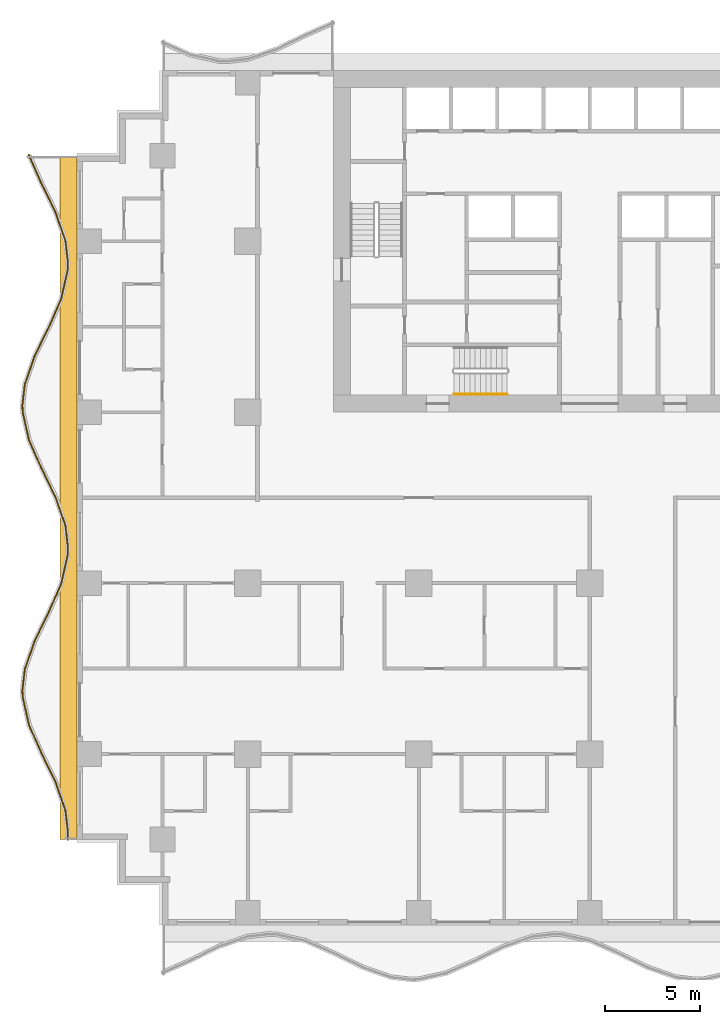
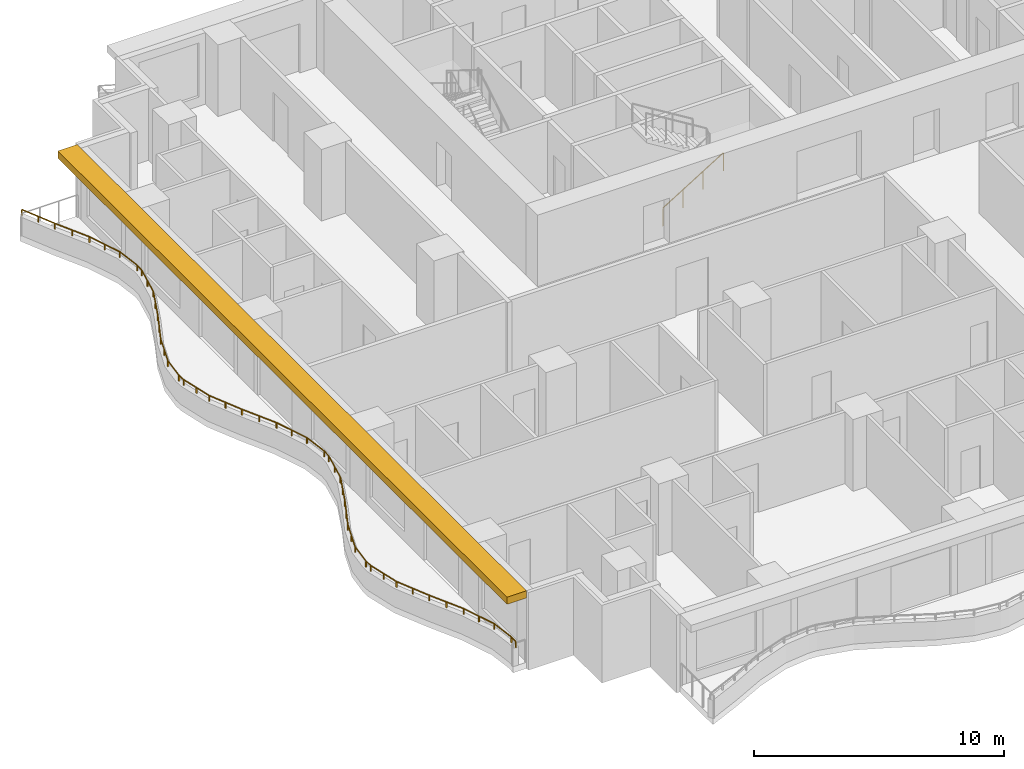
# One storey, part 9 of 14: 2 railings, 1 shading device.
"""IFC4 building model written with IfcOpenShell, lengths in metres."""

import ifcopenshell
import ifcopenshell.guid

model = None  # the IFC model being written
_history = None  # IfcOwnerHistory: only IFC2X3 demands one
_inside = {}  # id of a spatial element -> (the spatial element, [elements in it])
_under = {}  # id of a project, library or spatial element -> (it, [spatial elements below it])
_declared = {}  # id of a project -> (the project, [libraries it declares])
_typed = {}  # id of a type object -> (the type object, [elements of that type])
_made_of = {}  # id of a material, layer set ... -> (it, [elements and type objects made of it])


def new_model(schema):
    """Start an empty IFC model of exactly this schema.

    Asked for "IFC4X3", IfcOpenShell would pick the latest addendum, in which some entities
    have other attributes; the version numbers below select the first issue.
    IFC2X3 requires an IfcOwnerHistory on every rooted entity: one is made here for all.
    """
    global model, _history
    if schema == "IFC4X3":
        model = ifcopenshell.file(schema_version=(4, 3, 0, 0))
    else:
        model = ifcopenshell.file(schema=schema)
    _inside.clear()
    _under.clear()
    _declared.clear()
    _typed.clear()
    _made_of.clear()
    _history = None
    if model.schema == "IFC2X3":
        org = make("IfcOrganization", Name="unknown")
        user = make(
            "IfcPersonAndOrganization",
            ThePerson=make("IfcPerson", FamilyName="unknown"),
            TheOrganization=org,
        )
        app = make(
            "IfcApplication",
            ApplicationDeveloper=org,
            Version="unknown",
            ApplicationFullName="unknown",
            ApplicationIdentifier="unknown",
        )
        _history = make(
            "IfcOwnerHistory",
            OwningUser=user,
            OwningApplication=app,
            ChangeAction="ADDED",
            CreationDate=0,
        )
    return model


def make(cls, **values):
    """One entity of the class cls with the attributes given. An attribute that is None is left unset."""
    return model.create_entity(
        cls, **{name: value for name, value in values.items() if value is not None}
    )


def rooted(cls, **values):
    """An entity with a GlobalId (a new one), such as an element, a storey or a relation."""
    return make(cls, GlobalId=ifcopenshell.guid.new(), OwnerHistory=_history, **values)


def si_unit(unit_type, name, prefix=None):
    """IfcSIUnit, for example si_unit("LENGTHUNIT", "METRE", prefix="MILLI")."""
    return make("IfcSIUnit", UnitType=unit_type, Prefix=prefix, Name=name)


def assignment(units):
    """IfcUnitAssignment: the units of a project."""
    return None if units is None else make("IfcUnitAssignment", Units=units)


def point(xyz):
    """IfcCartesianPoint."""
    return None if xyz is None else make("IfcCartesianPoint", Coordinates=xyz)


def direction(xyz):
    """IfcDirection."""
    return None if xyz is None else make("IfcDirection", DirectionRatios=xyz)


def frame(location, z_axis=None, x_axis=None):
    """IfcAxis2Placement3D, a coordinate frame: its origin and axes. An axis left out is left unset."""
    return make(
        "IfcAxis2Placement3D",
        Location=point(location),
        Axis=direction(z_axis),
        RefDirection=direction(x_axis),
    )


def frame_2d(location, x_axis=None):
    """IfcAxis2Placement2D, a coordinate frame in the plane: its origin and x axis."""
    return make(
        "IfcAxis2Placement2D", Location=point(location), RefDirection=direction(x_axis)
    )


def origin():
    """The frame at (0, 0, 0) with its axes left unset."""
    return frame((0.0, 0.0, 0.0))


def origin_2d():
    """The frame at (0, 0) in the plane with its x axis left unset."""
    return frame_2d((0.0, 0.0))


def place(relative_to, where):
    """IfcLocalPlacement: puts the frame where relative to a parent placement (None: the world)."""
    return make(
        "IfcLocalPlacement", PlacementRelTo=relative_to, RelativePlacement=where
    )


def context(
    kind, dimensions, precision=None, world=None, true_north=None, identifier=None
):
    """IfcGeometricRepresentationContext, for example the 3D "Model" context."""
    return make(
        "IfcGeometricRepresentationContext",
        ContextIdentifier=identifier,
        ContextType=kind,
        CoordinateSpaceDimension=dimensions,
        Precision=precision,
        WorldCoordinateSystem=world,
        TrueNorth=true_north,
    )


def subcontext(parent, identifier, kind, view, scale=None):
    """IfcGeometricRepresentationSubContext, for example "Body" below "Model"."""
    return make(
        "IfcGeometricRepresentationSubContext",
        ContextIdentifier=identifier,
        ContextType=kind,
        ParentContext=parent,
        TargetScale=scale,
        TargetView=view,
    )


def project(units=None, contexts=None):
    """IfcProject with its units and contexts."""
    return rooted(
        "IfcProject",
        Name="project",
        RepresentationContexts=contexts,
        UnitsInContext=assignment(units),
    )


def spatial(cls, under=None, at=None, **own):
    """A site, building, storey or space (cls), placed at a placement, below another one or the project."""
    s = rooted(cls, ObjectPlacement=at, **own)
    if under is not None:
        _under.setdefault(under.id(), (under, []))[1].append(s)
    return s


def polyline(points):
    """IfcPolyline through the points."""
    return make("IfcPolyline", Points=[point(p) for p in points])


def profile(cls, at=None, kind="AREA", **sizes):
    """A parametric profile (cls). Its sizes go by their IFC names, for example OverallWidth=200.0."""
    return make(cls, ProfileType=kind, Position=at, **sizes)


def rectangle(**sizes):
    """IfcRectangleProfileDef."""
    return profile("IfcRectangleProfileDef", **sizes)


def circle(**sizes):
    """IfcCircleProfileDef."""
    return profile("IfcCircleProfileDef", **sizes)


def outline(outer, holes=None, kind="AREA"):
    """IfcArbitraryClosedProfileDef: a profile drawn as a closed curve; with holes, ...WithVoids."""
    if holes is None:
        return make("IfcArbitraryClosedProfileDef", ProfileType=kind, OuterCurve=outer)
    return make(
        "IfcArbitraryProfileDefWithVoids",
        ProfileType=kind,
        OuterCurve=outer,
        InnerCurves=holes,
    )


def extrude(swept, where, along, depth):
    """IfcExtrudedAreaSolid: the profile swept, set in the frame where, extruded along a direction by depth."""
    return make(
        "IfcExtrudedAreaSolid",
        SweptArea=swept,
        Position=where,
        ExtrudedDirection=direction(along),
        Depth=depth,
    )


def shape(context_of_items, identifier, shape_type, items):
    """IfcShapeRepresentation: the items that make up one representation, for example the "Body"."""
    return make(
        "IfcShapeRepresentation",
        ContextOfItems=context_of_items,
        RepresentationIdentifier=identifier,
        RepresentationType=shape_type,
        Items=items,
    )


def material(Name=None, Category=None):
    """IfcMaterial."""
    return make("IfcMaterial", Name=Name, Category=Category)


def layer(
    of_material, thickness, ventilated=None, Name=None, Category=None, Priority=None
):
    """IfcMaterialLayer: one layer of a wall or slab, of a material (None: an air gap)."""
    return make(
        "IfcMaterialLayer",
        Material=of_material,
        LayerThickness=thickness,
        IsVentilated=ventilated,
        Name=Name,
        Category=Category,
        Priority=Priority,
    )


def layer_set(layers, Name=None):
    """IfcMaterialLayerSet."""
    return make("IfcMaterialLayerSet", MaterialLayers=layers, LayerSetName=Name)


def made_of(thing, what):
    """Note that an element or type object is made of a material, layer set ...; save() writes the relation."""
    if what is not None:
        _made_of.setdefault(what.id(), (what, []))[1].append(thing)
    return thing


def type_object(cls, material=None, **own):
    """A type object (cls), such as IfcWallType, which elements share."""
    return made_of(rooted(cls, **own), material)


def element(
    cls,
    number,
    at=None,
    inside=None,
    cuts=None,
    type_object=None,
    material=None,
    context=None,
    identifier="Body",
    shape_type=None,
    held_by="IfcProductDefinitionShape",
    body=None,
    shapes=None,
    **own,
):
    """One element of the class cls, such as IfcWall. Its Tag is "e" and its number.

    at: its placement. inside: the storey or other place that contains it. cuts: it is an
    opening in that element (IfcRelVoidsElement). A single representation is given by context,
    identifier, shape_type and body (its items); several are given by shapes. held_by: the class
    of the entity that holds the representations. save() writes the other relations.
    """
    e = rooted(cls, Tag="e%d" % number, ObjectPlacement=at, **own)
    if body is not None:
        shapes = [shape(context, identifier, shape_type, body)]
    if shapes is not None:
        e.Representation = make(held_by, Representations=shapes)
    if inside is not None:
        _inside.setdefault(inside.id(), (inside, []))[1].append(e)
    if cuts is not None:
        rooted(
            "IfcRelVoidsElement", RelatingBuildingElement=cuts, RelatedOpeningElement=e
        )
    if type_object is not None:
        _typed.setdefault(type_object.id(), (type_object, []))[1].append(e)
    return made_of(e, material)


def aggregate(whole, parts):
    """IfcRelAggregates: a whole, such as a stair, and the parts it consists of."""
    return rooted("IfcRelAggregates", RelatingObject=whole, RelatedObjects=parts)


def save(model, path):
    """Write the relations noted so far, then the file.

    IfcRelAggregates (storeys below a building ...), IfcRelContainedInSpatialStructure (elements
    in a storey), IfcRelDefinesByType, IfcRelAssociatesMaterial and IfcRelDeclares: one each for
    every whole, place, type object, material and project.
    """
    for whole, parts in _under.values():
        aggregate(whole, parts)
    for where, things in _inside.values():
        rooted(
            "IfcRelContainedInSpatialStructure",
            RelatedElements=things,
            RelatingStructure=where,
        )
    for kind, things in _typed.values():
        rooted("IfcRelDefinesByType", RelatedObjects=things, RelatingType=kind)
    for what, things in _made_of.values():
        rooted("IfcRelAssociatesMaterial", RelatedObjects=things, RelatingMaterial=what)
    for by, libraries in _declared.values():
        rooted("IfcRelDeclares", RelatingContext=by, RelatedDefinitions=libraries)
    model.write(path)


model = new_model("IFC4")

# Units and contexts
model_context = context("Model", 3, precision=1e-05, world=origin(), true_north=direction((0.0, 1.0)))
body_context = subcontext(model_context, "Body", "Model", "MODEL_VIEW")
ifc_project = project(units=[si_unit("LENGTHUNIT", "METRE"), si_unit("AREAUNIT", "SQUARE_METRE"), si_unit("VOLUMEUNIT", "CUBIC_METRE"), si_unit("PLANEANGLEUNIT", "RADIAN"), si_unit("MASSUNIT", "GRAM", prefix="KILO")], contexts=[model_context])

# Site, building, storey
site_placement = place(None, origin())
site = spatial("IfcSite", under=ifc_project, at=site_placement, CompositionType="ELEMENT")
building_placement = place(site_placement, origin())
building = spatial("IfcBuilding", under=site, at=building_placement, Name="Orbiselva Terraces", CompositionType="ELEMENT")
storey_placement = place(building_placement, frame((0.0, 0.0, 88.4)))
storey = spatial("IfcBuildingStorey", under=building, at=storey_placement, Name="L22", CompositionType="ELEMENT", Elevation=88.4)

# Railings
ifc_material_1 = material(Name="Stainless steel", Category="steel")
railing_type_1 = type_object("IfcRailingType", Name="CORE-HANDRAIL-900", PredefinedType="HANDRAIL", material=ifc_material_1)
railing_1_placement = place(storey_placement, frame((-7.15, 5.45, 0.172727)))
element("IfcRailing", 1, at=railing_1_placement, inside=storey, type_object=railing_type_1, Name="L22 S3 stair handrail 1", PredefinedType="HANDRAIL", context=body_context, shape_type="SweptSolid", body=[
    extrude(circle(Radius=0.024, at=origin_2d()), frame((0.0, 0.0, 0.876), z_axis=(0.851088519012, 0.0, 0.52502222125), x_axis=(0.0, 1.0, 0.0)), (0.0, 0.0, 1.0), 3.289905),
    extrude(circle(Radius=0.021, at=origin_2d()), origin(), (0.0, 0.0, 1.0), 0.852),
    extrude(circle(Radius=0.021, at=origin_2d()), frame((0.933333, 0.0, 0.575758)), (0.0, 0.0, 1.0), 0.852),
    extrude(circle(Radius=0.021, at=origin_2d()), frame((1.866667, 0.0, 1.151515)), (0.0, 0.0, 1.0), 0.852),
    extrude(circle(Radius=0.021, at=origin_2d()), frame((2.8, 0.0, 1.727273)), (0.0, 0.0, 1.0), 0.852),
])
ifc_material_2 = material(Name="Bonded two-ply safety glass balustrade, stainless steel posts", Category="steel")
railing_type_2 = type_object("IfcRailingType", Name="ENV-BALUSTRADE-1200", PredefinedType="BALUSTRADE", material=ifc_material_2)
railing_2_placement = place(storey_placement, frame((-29.534136, 18.050394, 0.9)))
element("IfcRailing", 2, at=railing_2_placement, inside=storey, type_object=railing_type_2, Name="Balcony balustrade L22 W", PredefinedType="BALUSTRADE", context=body_context, shape_type="SweptSolid", body=[
    extrude(outline(polyline([(0.028868, 0.0), (0.014434, 0.025), (-0.014434, 0.025), (-0.028868, 0.0), (-0.014434, -0.025), (0.014434, -0.025), (0.028868, 0.0)])), frame((0.0, 0.0, 0.275), z_axis=(0.403150940408, -0.915133498047, 0.0), x_axis=(0.915133498047, 0.403150940408, 0.0)), (0.0, 0.0, 1.0), 1.636648),
    extrude(outline(polyline([(0.028868, 0.0), (0.014434, 0.025), (-0.014434, 0.025), (-0.028868, 0.0), (-0.014434, -0.025), (0.014434, -0.025), (0.028868, 0.0)])), frame((0.659816, -1.497751, 0.275), z_axis=(0.438812048596, -0.898578870221, 0.0), x_axis=(0.898578870221, 0.438812048596, 0.0)), (0.0, 0.0, 1.0), 1.674225),
    extrude(outline(polyline([(0.028868, 0.0), (0.014434, 0.025), (-0.014434, 0.025), (-0.028868, 0.0), (-0.014434, -0.025), (0.014434, -0.025), (0.028868, 0.0)])), frame((1.394486, -3.002174, 0.275), z_axis=(0.330024597479, -0.943972332783, 0.0), x_axis=(0.943972332783, 0.330024597479, 0.0)), (0.0, 0.0, 1.0), 1.610253),
    extrude(outline(polyline([(0.028868, 0.0), (0.014434, 0.025), (-0.014434, 0.025), (-0.028868, 0.0), (-0.014434, -0.025), (0.014434, -0.025), (0.028868, 0.0)])), frame((1.925909, -4.522208, 0.275), z_axis=(0.115482182324, -0.993309551734, 0.0), x_axis=(0.993309551734, 0.115482182324, 0.0)), (0.0, 0.0, 1.0), 1.156135),
    extrude(outline(polyline([(0.028868, 0.0), (0.014434, 0.025), (-0.014434, 0.025), (-0.028868, 0.0), (-0.014434, -0.025), (0.014434, -0.025), (0.028868, 0.0)])), frame((2.059422, -5.670608, 0.275), z_axis=(-0.03936915532, -0.999224734286, 0.0), x_axis=(0.999224734286, -0.03936915532, 0.0)), (0.0, 0.0, 1.0), 0.396376),
    extrude(outline(polyline([(0.028868, 0.0), (0.014434, 0.025), (-0.014434, 0.025), (-0.028868, 0.0), (-0.014434, -0.025), (0.014434, -0.025), (0.028868, 0.0)])), frame((2.043817, -6.066677, 0.275), z_axis=(-0.219015500924, -0.97572137947, 0.0), x_axis=(0.97572137947, -0.219015500924, 0.0)), (0.0, 0.0, 1.0), 1.560867),
    extrude(outline(polyline([(0.028868, 0.0), (0.014434, 0.025), (-0.014434, 0.025), (-0.028868, 0.0), (-0.014434, -0.025), (0.014434, -0.025), (0.028868, 0.0)])), frame((1.701963, -7.589648, 0.275), z_axis=(-0.403150874148, -0.915133527237, 0.0), x_axis=(0.915133527237, -0.403150874148, 0.0)), (0.0, 0.0, 1.0), 1.653736),
    extrude(outline(polyline([(0.028868, 0.0), (0.014434, 0.025), (-0.014434, 0.025), (-0.028868, 0.0), (-0.014434, -0.025), (0.014434, -0.025), (0.028868, 0.0)])), frame((1.035258, -9.103037, 0.275), z_axis=(-0.438811978768, -0.89857890432, 0.0), x_axis=(0.89857890432, -0.438811978768, 0.0)), (0.0, 0.0, 1.0), 1.66438),
    extrude(outline(polyline([(0.028868, 0.0), (0.014434, 0.025), (-0.014434, 0.025), (-0.028868, 0.0), (-0.014434, -0.025), (0.014434, -0.025), (0.028868, 0.0)])), frame((0.304908, -10.598614, 0.275), z_axis=(-0.330024754707, -0.943972277814, 0.0), x_axis=(0.943972277814, -0.330024754707, 0.0)), (0.0, 0.0, 1.0), 1.567807),
    extrude(outline(polyline([(0.028868, 0.0), (0.014434, 0.025), (-0.014434, 0.025), (-0.028868, 0.0), (-0.014434, -0.025), (0.014434, -0.025), (0.028868, 0.0)])), frame((-0.212507, -12.07858, 0.275), z_axis=(-0.115481264762, -0.993309658409, 0.0), x_axis=(0.993309658409, -0.115481264762, 0.0)), (0.0, 0.0, 1.0), 1.10902),
    extrude(outline(polyline([(0.028868, 0.0), (0.014434, 0.025), (-0.014434, 0.025), (-0.028868, 0.0), (-0.014434, -0.025), (0.014434, -0.025), (0.028868, 0.0)])), frame((-0.340578, -13.18018, 0.275), z_axis=(0.039364150694, -0.999224931454, 0.0), x_axis=(0.999224931454, 0.039364150694, 0.0)), (0.0, 0.0, 1.0), 0.354206),
    extrude(outline(polyline([(0.028868, 0.0), (0.014434, 0.025), (-0.014434, 0.025), (-0.028868, 0.0), (-0.014434, -0.025), (0.014434, -0.025), (0.028868, 0.0)])), frame((-0.326635, -13.534111, 0.275), z_axis=(0.219015740235, -0.975721325753, 0.0), x_axis=(0.975721325753, 0.219015740235, 0.0)), (0.0, 0.0, 1.0), 1.513782),
    extrude(outline(polyline([(0.028868, 0.0), (0.014434, 0.025), (-0.014434, 0.025), (-0.028868, 0.0), (-0.014434, -0.025), (0.014434, -0.025), (0.028868, 0.0)])), frame((0.004907, -15.01114, 0.275), z_axis=(0.403151245402, -0.915133363686, 0.0), x_axis=(0.915133363686, 0.403151245402, 0.0)), (0.0, 0.0, 1.0), 1.624475),
    extrude(outline(polyline([(0.028868, 0.0), (0.014434, 0.025), (-0.014434, 0.025), (-0.028868, 0.0), (-0.014434, -0.025), (0.014434, -0.025), (0.028868, 0.0)])), frame((0.659816, -16.497751, 0.275), z_axis=(0.438812048596, -0.898578870221, 0.0), x_axis=(0.898578870221, 0.438812048596, 0.0)), (0.0, 0.0, 1.0), 1.674225),
    extrude(outline(polyline([(0.028868, 0.0), (0.014434, 0.025), (-0.014434, 0.025), (-0.028868, 0.0), (-0.014434, -0.025), (0.014434, -0.025), (0.028868, 0.0)])), frame((1.394486, -18.002174, 0.275), z_axis=(0.330024597479, -0.943972332783, 0.0), x_axis=(0.943972332783, 0.330024597479, 0.0)), (0.0, 0.0, 1.0), 1.610253),
    extrude(outline(polyline([(0.028868, 0.0), (0.014434, 0.025), (-0.014434, 0.025), (-0.028868, 0.0), (-0.014434, -0.025), (0.014434, -0.025), (0.028868, 0.0)])), frame((1.925909, -19.522208, 0.275), z_axis=(0.115482182324, -0.993309551734, 0.0), x_axis=(0.993309551734, 0.115482182324, 0.0)), (0.0, 0.0, 1.0), 1.156135),
    extrude(outline(polyline([(0.028868, 0.0), (0.014434, 0.025), (-0.014434, 0.025), (-0.028868, 0.0), (-0.014434, -0.025), (0.014434, -0.025), (0.028868, 0.0)])), frame((2.059422, -20.670608, 0.275), z_axis=(-0.03936915532, -0.999224734286, 0.0), x_axis=(0.999224734286, -0.03936915532, 0.0)), (0.0, 0.0, 1.0), 0.396376),
    extrude(outline(polyline([(0.028868, 0.0), (0.014434, 0.025), (-0.014434, 0.025), (-0.028868, 0.0), (-0.014434, -0.025), (0.014434, -0.025), (0.028868, 0.0)])), frame((2.043817, -21.066677, 0.275), z_axis=(-0.219015500924, -0.97572137947, 0.0), x_axis=(0.97572137947, -0.219015500924, 0.0)), (0.0, 0.0, 1.0), 1.560867),
    extrude(outline(polyline([(0.028868, 0.0), (0.014434, 0.025), (-0.014434, 0.025), (-0.028868, 0.0), (-0.014434, -0.025), (0.014434, -0.025), (0.028868, 0.0)])), frame((1.701963, -22.589648, 0.275), z_axis=(-0.403150874148, -0.915133527237, 0.0), x_axis=(0.915133527237, -0.403150874148, 0.0)), (0.0, 0.0, 1.0), 1.653736),
    extrude(outline(polyline([(0.028868, 0.0), (0.014434, 0.025), (-0.014434, 0.025), (-0.028868, 0.0), (-0.014434, -0.025), (0.014434, -0.025), (0.028868, 0.0)])), frame((1.035258, -24.103037, 0.275), z_axis=(-0.438811978768, -0.89857890432, 0.0), x_axis=(0.89857890432, -0.438811978768, 0.0)), (0.0, 0.0, 1.0), 1.66438),
    extrude(outline(polyline([(0.028868, 0.0), (0.014434, 0.025), (-0.014434, 0.025), (-0.028868, 0.0), (-0.014434, -0.025), (0.014434, -0.025), (0.028868, 0.0)])), frame((0.304908, -25.598614, 0.275), z_axis=(-0.330024754707, -0.943972277814, 0.0), x_axis=(0.943972277814, -0.330024754707, 0.0)), (0.0, 0.0, 1.0), 1.567807),
    extrude(outline(polyline([(0.028868, 0.0), (0.014434, 0.025), (-0.014434, 0.025), (-0.028868, 0.0), (-0.014434, -0.025), (0.014434, -0.025), (0.028868, 0.0)])), frame((-0.212507, -27.07858, 0.275), z_axis=(-0.115481264762, -0.993309658409, 0.0), x_axis=(0.993309658409, -0.115481264762, 0.0)), (0.0, 0.0, 1.0), 1.10902),
    extrude(outline(polyline([(0.028868, 0.0), (0.014434, 0.025), (-0.014434, 0.025), (-0.028868, 0.0), (-0.014434, -0.025), (0.014434, -0.025), (0.028868, 0.0)])), frame((-0.340578, -28.18018, 0.275), z_axis=(0.039364150694, -0.999224931454, 0.0), x_axis=(0.999224931454, 0.039364150694, 0.0)), (0.0, 0.0, 1.0), 0.354206),
    extrude(outline(polyline([(0.028868, 0.0), (0.014434, 0.025), (-0.014434, 0.025), (-0.028868, 0.0), (-0.014434, -0.025), (0.014434, -0.025), (0.028868, 0.0)])), frame((-0.326635, -28.534111, 0.275), z_axis=(0.219015740235, -0.975721325753, 0.0), x_axis=(0.975721325753, 0.219015740235, 0.0)), (0.0, 0.0, 1.0), 1.513782),
    extrude(outline(polyline([(0.028868, 0.0), (0.014434, 0.025), (-0.014434, 0.025), (-0.028868, 0.0), (-0.014434, -0.025), (0.014434, -0.025), (0.028868, 0.0)])), frame((0.004907, -30.01114, 0.275), z_axis=(0.403151245402, -0.915133363686, 0.0), x_axis=(0.915133363686, 0.403151245402, 0.0)), (0.0, 0.0, 1.0), 1.624475),
    extrude(outline(polyline([(0.028868, 0.0), (0.014434, 0.025), (-0.014434, 0.025), (-0.028868, 0.0), (-0.014434, -0.025), (0.014434, -0.025), (0.028868, 0.0)])), frame((0.659816, -31.497751, 0.275), z_axis=(0.438812048596, -0.898578870221, 0.0), x_axis=(0.898578870221, 0.438812048596, 0.0)), (0.0, 0.0, 1.0), 1.674225),
    extrude(outline(polyline([(0.028868, 0.0), (0.014434, 0.025), (-0.014434, 0.025), (-0.028868, 0.0), (-0.014434, -0.025), (0.014434, -0.025), (0.028868, 0.0)])), frame((1.394486, -33.002174, 0.275), z_axis=(0.330024597479, -0.943972332783, 0.0), x_axis=(0.943972332783, 0.330024597479, 0.0)), (0.0, 0.0, 1.0), 1.610253),
    extrude(outline(polyline([(0.028868, 0.0), (0.014434, 0.025), (-0.014434, 0.025), (-0.028868, 0.0), (-0.014434, -0.025), (0.014434, -0.025), (0.028868, 0.0)])), frame((1.925909, -34.522208, 0.275), z_axis=(0.115482182324, -0.993309551734, 0.0), x_axis=(0.993309551734, 0.115482182324, 0.0)), (0.0, 0.0, 1.0), 1.156135),
    extrude(outline(polyline([(0.028868, 0.0), (0.014434, 0.025), (-0.014434, 0.025), (-0.028868, 0.0), (-0.014434, -0.025), (0.014434, -0.025), (0.028868, 0.0)])), frame((2.059422, -35.670608, 0.275), z_axis=(-0.039368272023, -0.999224769087, 0.0), x_axis=(0.999224769087, -0.039368272023, 0.0)), (0.0, 0.0, 1.0), 0.385005),
    extrude(rectangle(XDim=0.05, YDim=0.05, at=origin_2d()), origin(), (0.0, 0.0, 1.0), 0.25),
    extrude(rectangle(XDim=0.05, YDim=0.05, at=origin_2d()), frame((0.329908, -0.748876, 0.0)), (0.0, 0.0, 1.0), 0.25),
    extrude(rectangle(XDim=0.05, YDim=0.05, at=origin_2d()), frame((0.659816, -1.497751, 0.0)), (0.0, 0.0, 1.0), 0.25),
    extrude(rectangle(XDim=0.05, YDim=0.05, at=origin_2d()), frame((1.027151, -2.249963, 0.0)), (0.0, 0.0, 1.0), 0.25),
    extrude(rectangle(XDim=0.05, YDim=0.05, at=origin_2d()), frame((1.394486, -3.002174, 0.0)), (0.0, 0.0, 1.0), 0.25),
    extrude(rectangle(XDim=0.05, YDim=0.05, at=origin_2d()), frame((1.660198, -3.762191, 0.0)), (0.0, 0.0, 1.0), 0.25),
    extrude(rectangle(XDim=0.05, YDim=0.05, at=origin_2d()), frame((1.925909, -4.522208, 0.0)), (0.0, 0.0, 1.0), 0.25),
    extrude(rectangle(XDim=0.05, YDim=0.05, at=origin_2d()), frame((2.059422, -5.670608, 0.0)), (0.0, 0.0, 1.0), 0.25),
    extrude(rectangle(XDim=0.05, YDim=0.05, at=origin_2d()), frame((2.043817, -6.066677, 0.0)), (0.0, 0.0, 1.0), 0.25),
    extrude(rectangle(XDim=0.05, YDim=0.05, at=origin_2d()), frame((1.87289, -6.828162, 0.0)), (0.0, 0.0, 1.0), 0.25),
    extrude(rectangle(XDim=0.05, YDim=0.05, at=origin_2d()), frame((1.701963, -7.589648, 0.0)), (0.0, 0.0, 1.0), 0.25),
    extrude(rectangle(XDim=0.05, YDim=0.05, at=origin_2d()), frame((1.36861, -8.346342, 0.0)), (0.0, 0.0, 1.0), 0.25),
    extrude(rectangle(XDim=0.05, YDim=0.05, at=origin_2d()), frame((1.035258, -9.103037, 0.0)), (0.0, 0.0, 1.0), 0.25),
    extrude(rectangle(XDim=0.05, YDim=0.05, at=origin_2d()), frame((0.670083, -9.850826, 0.0)), (0.0, 0.0, 1.0), 0.25),
    extrude(rectangle(XDim=0.05, YDim=0.05, at=origin_2d()), frame((0.304908, -10.598614, 0.0)), (0.0, 0.0, 1.0), 0.25),
    extrude(rectangle(XDim=0.05, YDim=0.05, at=origin_2d()), frame((0.046201, -11.338597, 0.0)), (0.0, 0.0, 1.0), 0.25),
    extrude(rectangle(XDim=0.05, YDim=0.05, at=origin_2d()), frame((-0.212507, -12.07858, 0.0)), (0.0, 0.0, 1.0), 0.25),
    extrude(rectangle(XDim=0.05, YDim=0.05, at=origin_2d()), frame((-0.340578, -13.18018, 0.0)), (0.0, 0.0, 1.0), 0.25),
    extrude(rectangle(XDim=0.05, YDim=0.05, at=origin_2d()), frame((-0.326635, -13.534111, 0.0)), (0.0, 0.0, 1.0), 0.25),
    extrude(rectangle(XDim=0.05, YDim=0.05, at=origin_2d()), frame((-0.160864, -14.272626, 0.0)), (0.0, 0.0, 1.0), 0.25),
    extrude(rectangle(XDim=0.05, YDim=0.05, at=origin_2d()), frame((0.004907, -15.01114, 0.0)), (0.0, 0.0, 1.0), 0.25),
    extrude(rectangle(XDim=0.05, YDim=0.05, at=origin_2d()), frame((0.332361, -15.754446, 0.0)), (0.0, 0.0, 1.0), 0.25),
    extrude(rectangle(XDim=0.05, YDim=0.05, at=origin_2d()), frame((0.659816, -16.497751, 0.0)), (0.0, 0.0, 1.0), 0.25),
    extrude(rectangle(XDim=0.05, YDim=0.05, at=origin_2d()), frame((1.027151, -17.249963, 0.0)), (0.0, 0.0, 1.0), 0.25),
    extrude(rectangle(XDim=0.05, YDim=0.05, at=origin_2d()), frame((1.394486, -18.002174, 0.0)), (0.0, 0.0, 1.0), 0.25),
    extrude(rectangle(XDim=0.05, YDim=0.05, at=origin_2d()), frame((1.660198, -18.762191, 0.0)), (0.0, 0.0, 1.0), 0.25),
    extrude(rectangle(XDim=0.05, YDim=0.05, at=origin_2d()), frame((1.925909, -19.522208, 0.0)), (0.0, 0.0, 1.0), 0.25),
    extrude(rectangle(XDim=0.05, YDim=0.05, at=origin_2d()), frame((2.059422, -20.670608, 0.0)), (0.0, 0.0, 1.0), 0.25),
    extrude(rectangle(XDim=0.05, YDim=0.05, at=origin_2d()), frame((2.043817, -21.066677, 0.0)), (0.0, 0.0, 1.0), 0.25),
    extrude(rectangle(XDim=0.05, YDim=0.05, at=origin_2d()), frame((1.87289, -21.828162, 0.0)), (0.0, 0.0, 1.0), 0.25),
    extrude(rectangle(XDim=0.05, YDim=0.05, at=origin_2d()), frame((1.701963, -22.589648, 0.0)), (0.0, 0.0, 1.0), 0.25),
    extrude(rectangle(XDim=0.05, YDim=0.05, at=origin_2d()), frame((1.36861, -23.346342, 0.0)), (0.0, 0.0, 1.0), 0.25),
    extrude(rectangle(XDim=0.05, YDim=0.05, at=origin_2d()), frame((1.035258, -24.103037, 0.0)), (0.0, 0.0, 1.0), 0.25),
    extrude(rectangle(XDim=0.05, YDim=0.05, at=origin_2d()), frame((0.670083, -24.850826, 0.0)), (0.0, 0.0, 1.0), 0.25),
    extrude(rectangle(XDim=0.05, YDim=0.05, at=origin_2d()), frame((0.304908, -25.598614, 0.0)), (0.0, 0.0, 1.0), 0.25),
    extrude(rectangle(XDim=0.05, YDim=0.05, at=origin_2d()), frame((0.046201, -26.338597, 0.0)), (0.0, 0.0, 1.0), 0.25),
    extrude(rectangle(XDim=0.05, YDim=0.05, at=origin_2d()), frame((-0.212507, -27.07858, 0.0)), (0.0, 0.0, 1.0), 0.25),
    extrude(rectangle(XDim=0.05, YDim=0.05, at=origin_2d()), frame((-0.340578, -28.18018, 0.0)), (0.0, 0.0, 1.0), 0.25),
    extrude(rectangle(XDim=0.05, YDim=0.05, at=origin_2d()), frame((-0.326635, -28.534111, 0.0)), (0.0, 0.0, 1.0), 0.25),
    extrude(rectangle(XDim=0.05, YDim=0.05, at=origin_2d()), frame((-0.160864, -29.272626, 0.0)), (0.0, 0.0, 1.0), 0.25),
    extrude(rectangle(XDim=0.05, YDim=0.05, at=origin_2d()), frame((0.004907, -30.01114, 0.0)), (0.0, 0.0, 1.0), 0.25),
    extrude(rectangle(XDim=0.05, YDim=0.05, at=origin_2d()), frame((0.332361, -30.754446, 0.0)), (0.0, 0.0, 1.0), 0.25),
    extrude(rectangle(XDim=0.05, YDim=0.05, at=origin_2d()), frame((0.659816, -31.497751, 0.0)), (0.0, 0.0, 1.0), 0.25),
    extrude(rectangle(XDim=0.05, YDim=0.05, at=origin_2d()), frame((1.027151, -32.249962, 0.0)), (0.0, 0.0, 1.0), 0.25),
    extrude(rectangle(XDim=0.05, YDim=0.05, at=origin_2d()), frame((1.394486, -33.002174, 0.0)), (0.0, 0.0, 1.0), 0.25),
    extrude(rectangle(XDim=0.05, YDim=0.05, at=origin_2d()), frame((1.660198, -33.762191, 0.0)), (0.0, 0.0, 1.0), 0.25),
    extrude(rectangle(XDim=0.05, YDim=0.05, at=origin_2d()), frame((1.925909, -34.522208, 0.0)), (0.0, 0.0, 1.0), 0.25),
    extrude(rectangle(XDim=0.05, YDim=0.05, at=origin_2d()), frame((2.059422, -35.670608, 0.0)), (0.0, 0.0, 1.0), 0.25),
    extrude(rectangle(XDim=0.05, YDim=0.05, at=origin_2d()), frame((2.044265, -36.055315, 0.0)), (0.0, 0.0, 1.0), 0.25),
])

# Shading device
ifc_material_3 = material(Name="Terracotta baguette sunshade", Category="masonry")
ifc_layer = layer(ifc_material_3, 0.35)
ifc_layer_set = layer_set([ifc_layer], Name="Terracotta baguette sunshade")
shading_device_type = type_object("IfcShadingDeviceType", Name="ENV-SUNSHADE-900x350", PredefinedType="USERDEFINED", material=ifc_layer_set)
shading_device_placement = place(storey_placement, frame((0.0, 0.0, 3.15)))
element("IfcShadingDevice", 3, at=shading_device_placement, inside=storey, type_object=shading_device_type, Name="Sunshade band L22 W", ObjectType="SUNSHADE", PredefinedType="USERDEFINED", context=body_context, shape_type="SweptSolid", body=[
    extrude(outline(polyline([(-27.9, 18.0), (-27.9, -18.0), (-27.0, -18.0), (-27.0, 18.0), (-27.9, 18.0)])), origin(), (0.0, 0.0, 1.0), 0.35),
])

save(model, "model.ifc")
